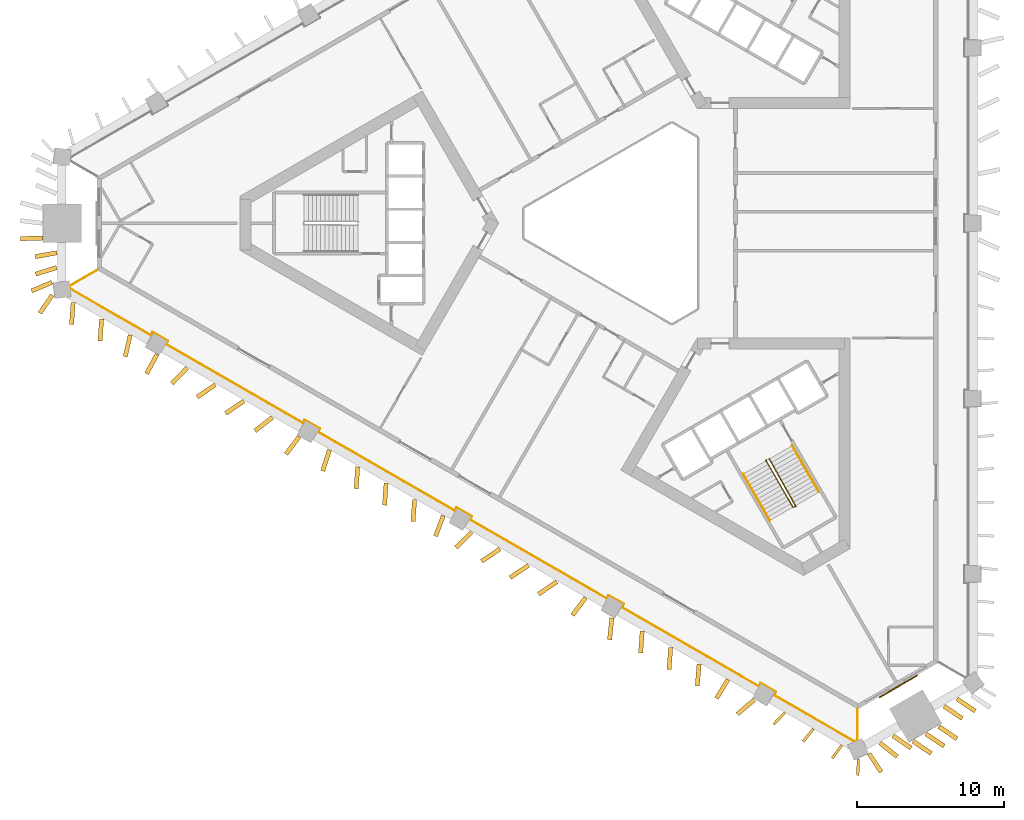
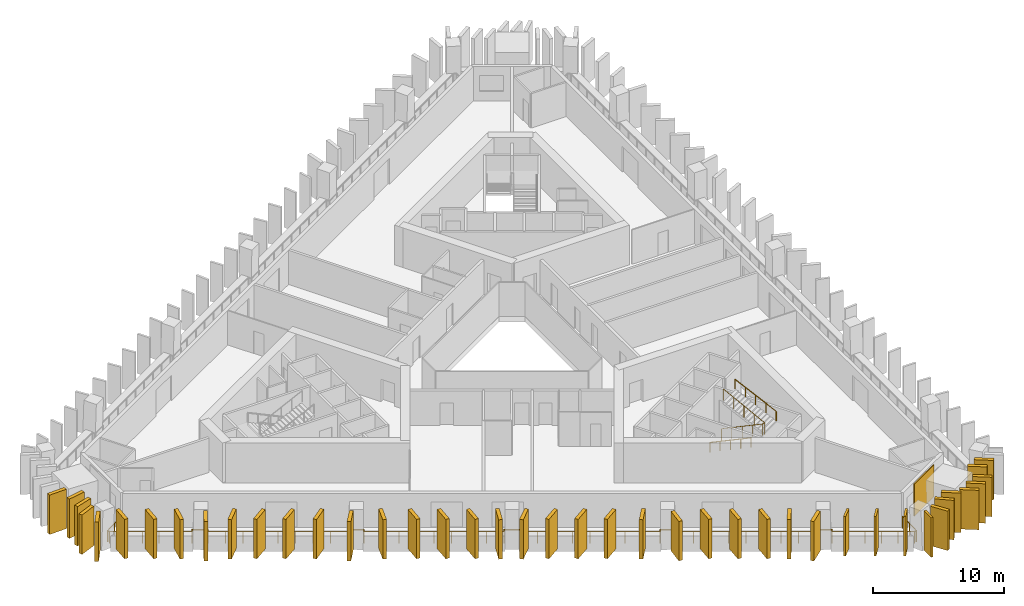
# One storey, part 7 of 10: 42 shading devices, 4 railings, 1 covering.
"""IFC4 building model written with IfcOpenShell, lengths in metres."""

import ifcopenshell
import ifcopenshell.guid

model = None  # the IFC model being written
_history = None  # IfcOwnerHistory: only IFC2X3 demands one
_inside = {}  # id of a spatial element -> (the spatial element, [elements in it])
_under = {}  # id of a project, library or spatial element -> (it, [spatial elements below it])
_declared = {}  # id of a project -> (the project, [libraries it declares])
_typed = {}  # id of a type object -> (the type object, [elements of that type])
_made_of = {}  # id of a material, layer set ... -> (it, [elements and type objects made of it])


def new_model(schema):
    """Start an empty IFC model of exactly this schema.

    Asked for "IFC4X3", IfcOpenShell would pick the latest addendum, in which some entities
    have other attributes; the version numbers below select the first issue.
    IFC2X3 requires an IfcOwnerHistory on every rooted entity: one is made here for all.
    """
    global model, _history
    if schema == "IFC4X3":
        model = ifcopenshell.file(schema_version=(4, 3, 0, 0))
    else:
        model = ifcopenshell.file(schema=schema)
    _inside.clear()
    _under.clear()
    _declared.clear()
    _typed.clear()
    _made_of.clear()
    _history = None
    if model.schema == "IFC2X3":
        org = make("IfcOrganization", Name="unknown")
        user = make(
            "IfcPersonAndOrganization",
            ThePerson=make("IfcPerson", FamilyName="unknown"),
            TheOrganization=org,
        )
        app = make(
            "IfcApplication",
            ApplicationDeveloper=org,
            Version="unknown",
            ApplicationFullName="unknown",
            ApplicationIdentifier="unknown",
        )
        _history = make(
            "IfcOwnerHistory",
            OwningUser=user,
            OwningApplication=app,
            ChangeAction="ADDED",
            CreationDate=0,
        )
    return model


def make(cls, **values):
    """One entity of the class cls with the attributes given. An attribute that is None is left unset."""
    return model.create_entity(
        cls, **{name: value for name, value in values.items() if value is not None}
    )


def rooted(cls, **values):
    """An entity with a GlobalId (a new one), such as an element, a storey or a relation."""
    return make(cls, GlobalId=ifcopenshell.guid.new(), OwnerHistory=_history, **values)


def si_unit(unit_type, name, prefix=None):
    """IfcSIUnit, for example si_unit("LENGTHUNIT", "METRE", prefix="MILLI")."""
    return make("IfcSIUnit", UnitType=unit_type, Prefix=prefix, Name=name)


def assignment(units):
    """IfcUnitAssignment: the units of a project."""
    return None if units is None else make("IfcUnitAssignment", Units=units)


def point(xyz):
    """IfcCartesianPoint."""
    return None if xyz is None else make("IfcCartesianPoint", Coordinates=xyz)


def direction(xyz):
    """IfcDirection."""
    return None if xyz is None else make("IfcDirection", DirectionRatios=xyz)


def frame(location, z_axis=None, x_axis=None):
    """IfcAxis2Placement3D, a coordinate frame: its origin and axes. An axis left out is left unset."""
    return make(
        "IfcAxis2Placement3D",
        Location=point(location),
        Axis=direction(z_axis),
        RefDirection=direction(x_axis),
    )


def frame_2d(location, x_axis=None):
    """IfcAxis2Placement2D, a coordinate frame in the plane: its origin and x axis."""
    return make(
        "IfcAxis2Placement2D", Location=point(location), RefDirection=direction(x_axis)
    )


def origin():
    """The frame at (0, 0, 0) with its axes left unset."""
    return frame((0.0, 0.0, 0.0))


def origin_2d():
    """The frame at (0, 0) in the plane with its x axis left unset."""
    return frame_2d((0.0, 0.0))


def place(relative_to, where):
    """IfcLocalPlacement: puts the frame where relative to a parent placement (None: the world)."""
    return make(
        "IfcLocalPlacement", PlacementRelTo=relative_to, RelativePlacement=where
    )


def context(
    kind, dimensions, precision=None, world=None, true_north=None, identifier=None
):
    """IfcGeometricRepresentationContext, for example the 3D "Model" context."""
    return make(
        "IfcGeometricRepresentationContext",
        ContextIdentifier=identifier,
        ContextType=kind,
        CoordinateSpaceDimension=dimensions,
        Precision=precision,
        WorldCoordinateSystem=world,
        TrueNorth=true_north,
    )


def subcontext(parent, identifier, kind, view, scale=None):
    """IfcGeometricRepresentationSubContext, for example "Body" below "Model"."""
    return make(
        "IfcGeometricRepresentationSubContext",
        ContextIdentifier=identifier,
        ContextType=kind,
        ParentContext=parent,
        TargetScale=scale,
        TargetView=view,
    )


def project(units=None, contexts=None):
    """IfcProject with its units and contexts."""
    return rooted(
        "IfcProject",
        Name="project",
        RepresentationContexts=contexts,
        UnitsInContext=assignment(units),
    )


def spatial(cls, under=None, at=None, **own):
    """A site, building, storey or space (cls), placed at a placement, below another one or the project."""
    s = rooted(cls, ObjectPlacement=at, **own)
    if under is not None:
        _under.setdefault(under.id(), (under, []))[1].append(s)
    return s


def profile(cls, at=None, kind="AREA", **sizes):
    """A parametric profile (cls). Its sizes go by their IFC names, for example OverallWidth=200.0."""
    return make(cls, ProfileType=kind, Position=at, **sizes)


def rectangle(**sizes):
    """IfcRectangleProfileDef."""
    return profile("IfcRectangleProfileDef", **sizes)


def circle(**sizes):
    """IfcCircleProfileDef."""
    return profile("IfcCircleProfileDef", **sizes)


def extrude(swept, where, along, depth):
    """IfcExtrudedAreaSolid: the profile swept, set in the frame where, extruded along a direction by depth."""
    return make(
        "IfcExtrudedAreaSolid",
        SweptArea=swept,
        Position=where,
        ExtrudedDirection=direction(along),
        Depth=depth,
    )


def shape(context_of_items, identifier, shape_type, items):
    """IfcShapeRepresentation: the items that make up one representation, for example the "Body"."""
    return make(
        "IfcShapeRepresentation",
        ContextOfItems=context_of_items,
        RepresentationIdentifier=identifier,
        RepresentationType=shape_type,
        Items=items,
    )


def material(Name=None, Category=None):
    """IfcMaterial."""
    return make("IfcMaterial", Name=Name, Category=Category)


def layer(
    of_material, thickness, ventilated=None, Name=None, Category=None, Priority=None
):
    """IfcMaterialLayer: one layer of a wall or slab, of a material (None: an air gap)."""
    return make(
        "IfcMaterialLayer",
        Material=of_material,
        LayerThickness=thickness,
        IsVentilated=ventilated,
        Name=Name,
        Category=Category,
        Priority=Priority,
    )


def layer_set(layers, Name=None):
    """IfcMaterialLayerSet."""
    return make("IfcMaterialLayerSet", MaterialLayers=layers, LayerSetName=Name)


def made_of(thing, what):
    """Note that an element or type object is made of a material, layer set ...; save() writes the relation."""
    if what is not None:
        _made_of.setdefault(what.id(), (what, []))[1].append(thing)
    return thing


def type_object(cls, material=None, **own):
    """A type object (cls), such as IfcWallType, which elements share."""
    return made_of(rooted(cls, **own), material)


def element(
    cls,
    number,
    at=None,
    inside=None,
    cuts=None,
    type_object=None,
    material=None,
    context=None,
    identifier="Body",
    shape_type=None,
    held_by="IfcProductDefinitionShape",
    body=None,
    shapes=None,
    **own,
):
    """One element of the class cls, such as IfcWall. Its Tag is "e" and its number.

    at: its placement. inside: the storey or other place that contains it. cuts: it is an
    opening in that element (IfcRelVoidsElement). A single representation is given by context,
    identifier, shape_type and body (its items); several are given by shapes. held_by: the class
    of the entity that holds the representations. save() writes the other relations.
    """
    e = rooted(cls, Tag="e%d" % number, ObjectPlacement=at, **own)
    if body is not None:
        shapes = [shape(context, identifier, shape_type, body)]
    if shapes is not None:
        e.Representation = make(held_by, Representations=shapes)
    if inside is not None:
        _inside.setdefault(inside.id(), (inside, []))[1].append(e)
    if cuts is not None:
        rooted(
            "IfcRelVoidsElement", RelatingBuildingElement=cuts, RelatedOpeningElement=e
        )
    if type_object is not None:
        _typed.setdefault(type_object.id(), (type_object, []))[1].append(e)
    return made_of(e, material)


def aggregate(whole, parts):
    """IfcRelAggregates: a whole, such as a stair, and the parts it consists of."""
    return rooted("IfcRelAggregates", RelatingObject=whole, RelatedObjects=parts)


def save(model, path):
    """Write the relations noted so far, then the file.

    IfcRelAggregates (storeys below a building ...), IfcRelContainedInSpatialStructure (elements
    in a storey), IfcRelDefinesByType, IfcRelAssociatesMaterial and IfcRelDeclares: one each for
    every whole, place, type object, material and project.
    """
    for whole, parts in _under.values():
        aggregate(whole, parts)
    for where, things in _inside.values():
        rooted(
            "IfcRelContainedInSpatialStructure",
            RelatedElements=things,
            RelatingStructure=where,
        )
    for kind, things in _typed.values():
        rooted("IfcRelDefinesByType", RelatedObjects=things, RelatingType=kind)
    for what, things in _made_of.values():
        rooted("IfcRelAssociatesMaterial", RelatedObjects=things, RelatingMaterial=what)
    for by, libraries in _declared.values():
        rooted("IfcRelDeclares", RelatingContext=by, RelatedDefinitions=libraries)
    model.write(path)


model = new_model("IFC4")

# Units and contexts
model_context = context("Model", 3, precision=1e-05, world=origin(), true_north=direction((0.0, 1.0)))
body_context = subcontext(model_context, "Body", "Model", "MODEL_VIEW")
ifc_project = project(units=[si_unit("LENGTHUNIT", "METRE"), si_unit("AREAUNIT", "SQUARE_METRE"), si_unit("VOLUMEUNIT", "CUBIC_METRE"), si_unit("PLANEANGLEUNIT", "RADIAN"), si_unit("MASSUNIT", "GRAM", prefix="KILO")], contexts=[model_context])

# Site, building, storey
site_placement = place(None, origin())
site = spatial("IfcSite", under=ifc_project, at=site_placement, CompositionType="ELEMENT")
building_placement = place(site_placement, origin())
building = spatial("IfcBuilding", under=site, at=building_placement, Name="Jabali Bay Hotel Tower and Convention Centre", CompositionType="ELEMENT")
storey_placement = place(building_placement, frame((0.0, 0.0, 68.39990234375)))
storey = spatial("IfcBuildingStorey", under=building, at=storey_placement, Name="L15", CompositionType="ELEMENT", Elevation=68.39990234375)

# Railing
ifc_material_1 = material(Name="Glass", Category="glass")
railing_type_1 = type_object("IfcRailingType", Name="Loggia glass guard 1100", PredefinedType="BALUSTRADE", material=ifc_material_1)
railing_1_placement = place(storey_placement, frame((90.393310546875, 46.950927734375, 0.0)))
element("IfcRailing", 1, at=railing_1_placement, inside=storey, type_object=railing_type_1, Name="Loggia glass guard L15", PredefinedType="BALUSTRADE", context=body_context, shape_type="SweptSolid", body=[
    extrude(circle(Radius=0.02490234375, at=origin_2d()), frame((0.0, 0.0, 1.0751953125), z_axis=(0.0, -1.0, 0.0), x_axis=(0.991444861374, 0.0, 0.13052619222)), (0.0, 0.0, 1.0), 2.110595703125),
    extrude(circle(Radius=0.02490234375, at=origin_2d()), frame((0.0, -2.110595703125, 1.0751953125), z_axis=(-0.917845837018, -0.396937047236, 0.0), x_axis=(0.393541195771, -0.909993538645, 0.13052619222)), (0.0, 0.0, 1.0), 0.214599609375),
    extrude(circle(Radius=0.02490234375, at=origin_2d()), frame((-0.197021484375, -2.19580078125, 1.0751953125), z_axis=(-0.866026738007, 0.499997689051, 0.0), x_axis=(-0.495720139509, -0.858617759209, 0.13052619222)), (0.0, 0.0, 1.0), 6.32177734375),
    extrude(circle(Radius=0.02490234375, at=origin_2d()), frame((-5.671875, 0.965087890625, 1.0751953125), z_axis=(0.499919672301, 0.866071776036, 0.0), x_axis=(-0.858662411932, 0.495642790202, 0.13052619222)), (0.0, 0.0, 1.0), 0.25),
    extrude(circle(Radius=0.02490234375, at=origin_2d()), frame((-5.546875, 1.181640625, 1.0751953125), z_axis=(-0.865955154139, 0.50012165622, 0.0), x_axis=(-0.495843046121, -0.858546787751, 0.13052619222)), (0.0, 0.0, 1.0), 1.199951171875),
    extrude(circle(Radius=0.02490234375, at=origin_2d()), frame((-6.5859375, 1.78173828125, 1.0751953125), z_axis=(-0.499919672301, -0.866071776036, 0.0), x_axis=(0.858662411932, -0.495642790202, 0.13052619222)), (0.0, 0.0, 1.0), 0.25),
    extrude(circle(Radius=0.02490234375, at=origin_2d()), frame((-6.7109375, 1.565185546875, 1.0751953125), z_axis=(-0.866027971625, 0.499995552344, 0.0), x_axis=(-0.495718021081, -0.858618982273, 0.13052619222)), (0.0, 0.0, 1.0), 10.73046875),
    extrude(circle(Radius=0.02490234375, at=origin_2d()), frame((-16.00390625, 6.930419921875, 1.0751953125), z_axis=(0.499919672301, 0.866071776036, 0.0), x_axis=(-0.858662411932, 0.495642790202, 0.13052619222)), (0.0, 0.0, 1.0), 0.25),
    extrude(circle(Radius=0.02490234375, at=origin_2d()), frame((-15.87890625, 7.14697265625, 1.0751953125), z_axis=(-0.866094119867, 0.499880961361, 0.0), x_axis=(-0.49560441044, -0.858684564609, 0.13052619222)), (0.0, 0.0, 1.0), 1.199951171875),
    extrude(circle(Radius=0.02490234375, at=origin_2d()), frame((-16.918212890625, 7.746826171875, 1.0751953125), z_axis=(-0.499919672301, -0.866071776036, 0.0), x_axis=(0.858662411932, -0.495642790202, 0.13052619222)), (0.0, 0.0, 1.0), 0.25),
    extrude(circle(Radius=0.02490234375, at=origin_2d()), frame((-17.043212890625, 7.5302734375, 1.0751953125), z_axis=(-0.866018119769, 0.500012616072, 0.0), x_axis=(-0.495734938827, -0.858609214702, 0.13052619222)), (0.0, 0.0, 1.0), 10.730712890625),
    extrude(circle(Radius=0.02490234375, at=origin_2d()), frame((-26.336181640625, 12.895751953125, 1.0751953125), z_axis=(0.500342721131, 0.865827443207, 0.0), x_axis=(-0.858420169404, 0.496062219791, 0.13052619222)), (0.0, 0.0, 1.0), 0.249755859375),
    extrude(circle(Radius=0.02490234375, at=origin_2d()), frame((-26.211181640625, 13.112060546875, 1.0751953125), z_axis=(-0.865955154139, 0.50012165622, 0.0), x_axis=(-0.495843046121, -0.858546787751, 0.13052619222)), (0.0, 0.0, 1.0), 1.199951171875),
    extrude(circle(Radius=0.02490234375, at=origin_2d()), frame((-27.250244140625, 13.712158203125, 1.0751953125), z_axis=(-0.499919672301, -0.866071776036, 0.0), x_axis=(0.858662411932, -0.495642790202, 0.13052619222)), (0.0, 0.0, 1.0), 0.25),
    extrude(circle(Radius=0.02490234375, at=origin_2d()), frame((-27.375244140625, 13.49560546875, 1.0751953125), z_axis=(-0.866027971625, 0.499995552344, 0.0), x_axis=(-0.495718021081, -0.858618982273, 0.13052619222)), (0.0, 0.0, 1.0), 10.73046875),
    extrude(circle(Radius=0.02490234375, at=origin_2d()), frame((-36.668212890625, 18.86083984375, 1.0751953125), z_axis=(0.499919672301, 0.866071776036, 0.0), x_axis=(-0.858662411932, 0.495642790202, 0.13052619222)), (0.0, 0.0, 1.0), 0.25),
    extrude(circle(Radius=0.02490234375, at=origin_2d()), frame((-36.543212890625, 19.077392578125, 1.0751953125), z_axis=(-0.866006032174, 0.500033551112, 0.0), x_axis=(-0.495755694765, -0.858597230518, 0.13052619222)), (0.0, 0.0, 1.0), 1.2001953125),
    extrude(circle(Radius=0.02490234375, at=origin_2d()), frame((-37.58251953125, 19.677490234375, 1.0751953125), z_axis=(-0.499919672301, -0.866071776036, 0.0), x_axis=(0.858662411932, -0.495642790202, 0.13052619222)), (0.0, 0.0, 1.0), 0.25),
    extrude(circle(Radius=0.02490234375, at=origin_2d()), frame((-37.70751953125, 19.4609375, 1.0751953125), z_axis=(-0.866022283585, 0.500005404305, 0.0), x_axis=(-0.495727788757, -0.858613342896, 0.13052619222)), (0.0, 0.0, 1.0), 10.73046875),
    extrude(circle(Radius=0.02490234375, at=origin_2d()), frame((-47.000244140625, 24.826171875, 1.0751953125), z_axis=(0.499919672301, 0.866071776036, 0.0), x_axis=(-0.858662411932, 0.495642790202, 0.13052619222)), (0.0, 0.0, 1.0), 0.25),
    extrude(circle(Radius=0.02490234375, at=origin_2d()), frame((-46.875244140625, 25.042724609375, 1.0751953125), z_axis=(-0.866006032174, 0.500033551112, 0.0), x_axis=(-0.495755694765, -0.858597230518, 0.13052619222)), (0.0, 0.0, 1.0), 1.2001953125),
    extrude(circle(Radius=0.02490234375, at=origin_2d()), frame((-47.91455078125, 25.642822265625, 1.0751953125), z_axis=(-0.499919672301, -0.866071776036, 0.0), x_axis=(0.858662411932, -0.495642790202, 0.13052619222)), (0.0, 0.0, 1.0), 0.25),
    extrude(circle(Radius=0.02490234375, at=origin_2d()), frame((-48.03955078125, 25.42626953125, 1.0751953125), z_axis=(-0.866043460228, 0.499968724018, 0.0), x_axis=(-0.495691422276, -0.858634338369, 0.13052619222)), (0.0, 0.0, 1.0), 6.32177734375),
    extrude(circle(Radius=0.02490234375, at=origin_2d()), frame((-53.514404296875, 28.5869140625, 1.0751953125), z_axis=(-0.115918072513, 0.993258778197, 0.0), x_axis=(-0.984761311658, -0.114926377333, 0.13052619222)), (0.0, 0.0, 1.0), 0.21484375),
    extrude(circle(Radius=0.02490234375, at=origin_2d()), frame((-53.539306640625, 28.80029296875, 1.0751953125), z_axis=(0.86605653045, 0.499946083158, 0.0), x_axis=(-0.495668975111, 0.858647296774, 0.13052619222)), (0.0, 0.0, 1.0), 2.110595703125),
    extrude(circle(Radius=0.02001953125, at=origin_2d()), origin(), (0.0, 0.0, 1.0), 1.050048828125),
    extrude(circle(Radius=0.02001953125, at=origin_2d()), frame((0.0, -1.05517578125, 0.0)), (0.0, 0.0, 1.0), 1.050048828125),
    extrude(circle(Radius=0.02001953125, at=origin_2d()), frame((0.0, -2.110595703125, 0.0)), (0.0, 0.0, 1.0), 1.050048828125),
    extrude(circle(Radius=0.02001953125, at=origin_2d()), frame((-0.197021484375, -2.19580078125, 0.0)), (0.0, 0.0, 1.0), 1.050048828125),
    extrude(circle(Radius=0.02001953125, at=origin_2d()), frame((-1.2919921875, -1.563720703125, 0.0)), (0.0, 0.0, 1.0), 1.050048828125),
    extrude(circle(Radius=0.02001953125, at=origin_2d()), frame((-2.386962890625, -0.931396484375, 0.0)), (0.0, 0.0, 1.0), 1.050048828125),
    extrude(circle(Radius=0.02001953125, at=origin_2d()), frame((-3.48193359375, -0.29931640625, 0.0)), (0.0, 0.0, 1.0), 1.050048828125),
    extrude(circle(Radius=0.02001953125, at=origin_2d()), frame((-4.576904296875, 0.3330078125, 0.0)), (0.0, 0.0, 1.0), 1.050048828125),
    extrude(circle(Radius=0.02001953125, at=origin_2d()), frame((-5.671875, 0.965087890625, 0.0)), (0.0, 0.0, 1.0), 1.050048828125),
    extrude(circle(Radius=0.02001953125, at=origin_2d()), frame((-5.546875, 1.181640625, 0.0)), (0.0, 0.0, 1.0), 1.050048828125),
    extrude(circle(Radius=0.02001953125, at=origin_2d()), frame((-6.5859375, 1.78173828125, 0.0)), (0.0, 0.0, 1.0), 1.050048828125),
    extrude(circle(Radius=0.02001953125, at=origin_2d()), frame((-6.7109375, 1.565185546875, 0.0)), (0.0, 0.0, 1.0), 1.050048828125),
    extrude(circle(Radius=0.02001953125, at=origin_2d()), frame((-7.87255859375, 2.23583984375, 0.0)), (0.0, 0.0, 1.0), 1.050048828125),
    extrude(circle(Radius=0.02001953125, at=origin_2d()), frame((-9.0341796875, 2.906494140625, 0.0)), (0.0, 0.0, 1.0), 1.050048828125),
    extrude(circle(Radius=0.02001953125, at=origin_2d()), frame((-10.19580078125, 3.5771484375, 0.0)), (0.0, 0.0, 1.0), 1.050048828125),
    extrude(circle(Radius=0.02001953125, at=origin_2d()), frame((-11.357421875, 4.247802734375, 0.0)), (0.0, 0.0, 1.0), 1.050048828125),
    extrude(circle(Radius=0.02001953125, at=origin_2d()), frame((-12.51904296875, 4.91845703125, 0.0)), (0.0, 0.0, 1.0), 1.050048828125),
    extrude(circle(Radius=0.02001953125, at=origin_2d()), frame((-13.6806640625, 5.589111328125, 0.0)), (0.0, 0.0, 1.0), 1.050048828125),
    extrude(circle(Radius=0.02001953125, at=origin_2d()), frame((-14.84228515625, 6.259765625, 0.0)), (0.0, 0.0, 1.0), 1.050048828125),
    extrude(circle(Radius=0.02001953125, at=origin_2d()), frame((-16.00390625, 6.930419921875, 0.0)), (0.0, 0.0, 1.0), 1.050048828125),
    extrude(circle(Radius=0.02001953125, at=origin_2d()), frame((-15.87890625, 7.14697265625, 0.0)), (0.0, 0.0, 1.0), 1.050048828125),
    extrude(circle(Radius=0.02001953125, at=origin_2d()), frame((-16.918212890625, 7.746826171875, 0.0)), (0.0, 0.0, 1.0), 1.050048828125),
    extrude(circle(Radius=0.02001953125, at=origin_2d()), frame((-17.043212890625, 7.5302734375, 0.0)), (0.0, 0.0, 1.0), 1.050048828125),
    extrude(circle(Radius=0.02001953125, at=origin_2d()), frame((-18.204833984375, 8.200927734375, 0.0)), (0.0, 0.0, 1.0), 1.050048828125),
    extrude(circle(Radius=0.02001953125, at=origin_2d()), frame((-19.366455078125, 8.87158203125, 0.0)), (0.0, 0.0, 1.0), 1.050048828125),
    extrude(circle(Radius=0.02001953125, at=origin_2d()), frame((-20.528076171875, 9.542236328125, 0.0)), (0.0, 0.0, 1.0), 1.050048828125),
    extrude(circle(Radius=0.02001953125, at=origin_2d()), frame((-21.689697265625, 10.212890625, 0.0)), (0.0, 0.0, 1.0), 1.050048828125),
    extrude(circle(Radius=0.02001953125, at=origin_2d()), frame((-22.851318359375, 10.8837890625, 0.0)), (0.0, 0.0, 1.0), 1.050048828125),
    extrude(circle(Radius=0.02001953125, at=origin_2d()), frame((-24.012939453125, 11.554443359375, 0.0)), (0.0, 0.0, 1.0), 1.050048828125),
    extrude(circle(Radius=0.02001953125, at=origin_2d()), frame((-25.174560546875, 12.22509765625, 0.0)), (0.0, 0.0, 1.0), 1.050048828125),
    extrude(circle(Radius=0.02001953125, at=origin_2d()), frame((-26.336181640625, 12.895751953125, 0.0)), (0.0, 0.0, 1.0), 1.050048828125),
    extrude(circle(Radius=0.02001953125, at=origin_2d()), frame((-26.211181640625, 13.112060546875, 0.0)), (0.0, 0.0, 1.0), 1.050048828125),
    extrude(circle(Radius=0.02001953125, at=origin_2d()), frame((-27.250244140625, 13.712158203125, 0.0)), (0.0, 0.0, 1.0), 1.050048828125),
    extrude(circle(Radius=0.02001953125, at=origin_2d()), frame((-27.375244140625, 13.49560546875, 0.0)), (0.0, 0.0, 1.0), 1.050048828125),
    extrude(circle(Radius=0.02001953125, at=origin_2d()), frame((-28.536865234375, 14.166259765625, 0.0)), (0.0, 0.0, 1.0), 1.050048828125),
    extrude(circle(Radius=0.02001953125, at=origin_2d()), frame((-29.698486328125, 14.8369140625, 0.0)), (0.0, 0.0, 1.0), 1.050048828125),
    extrude(circle(Radius=0.02001953125, at=origin_2d()), frame((-30.860107421875, 15.507568359375, 0.0)), (0.0, 0.0, 1.0), 1.050048828125),
    extrude(circle(Radius=0.02001953125, at=origin_2d()), frame((-32.021728515625, 16.17822265625, 0.0)), (0.0, 0.0, 1.0), 1.050048828125),
    extrude(circle(Radius=0.02001953125, at=origin_2d()), frame((-33.183349609375, 16.848876953125, 0.0)), (0.0, 0.0, 1.0), 1.050048828125),
    extrude(circle(Radius=0.02001953125, at=origin_2d()), frame((-34.344970703125, 17.51953125, 0.0)), (0.0, 0.0, 1.0), 1.050048828125),
    extrude(circle(Radius=0.02001953125, at=origin_2d()), frame((-35.506591796875, 18.190185546875, 0.0)), (0.0, 0.0, 1.0), 1.050048828125),
    extrude(circle(Radius=0.02001953125, at=origin_2d()), frame((-36.668212890625, 18.86083984375, 0.0)), (0.0, 0.0, 1.0), 1.050048828125),
    extrude(circle(Radius=0.02001953125, at=origin_2d()), frame((-36.543212890625, 19.077392578125, 0.0)), (0.0, 0.0, 1.0), 1.050048828125),
    extrude(circle(Radius=0.02001953125, at=origin_2d()), frame((-37.58251953125, 19.677490234375, 0.0)), (0.0, 0.0, 1.0), 1.050048828125),
    extrude(circle(Radius=0.02001953125, at=origin_2d()), frame((-37.70751953125, 19.4609375, 0.0)), (0.0, 0.0, 1.0), 1.050048828125),
    extrude(circle(Radius=0.02001953125, at=origin_2d()), frame((-38.869140625, 20.131591796875, 0.0)), (0.0, 0.0, 1.0), 1.050048828125),
    extrude(circle(Radius=0.02001953125, at=origin_2d()), frame((-40.03076171875, 20.80224609375, 0.0)), (0.0, 0.0, 1.0), 1.050048828125),
    extrude(circle(Radius=0.02001953125, at=origin_2d()), frame((-41.1923828125, 21.472900390625, 0.0)), (0.0, 0.0, 1.0), 1.050048828125),
    extrude(circle(Radius=0.02001953125, at=origin_2d()), frame((-42.35400390625, 22.1435546875, 0.0)), (0.0, 0.0, 1.0), 1.050048828125),
    extrude(circle(Radius=0.02001953125, at=origin_2d()), frame((-43.515380859375, 22.814208984375, 0.0)), (0.0, 0.0, 1.0), 1.050048828125),
    extrude(circle(Radius=0.02001953125, at=origin_2d()), frame((-44.677001953125, 23.48486328125, 0.0)), (0.0, 0.0, 1.0), 1.050048828125),
    extrude(circle(Radius=0.02001953125, at=origin_2d()), frame((-45.838623046875, 24.155517578125, 0.0)), (0.0, 0.0, 1.0), 1.050048828125),
    extrude(circle(Radius=0.02001953125, at=origin_2d()), frame((-47.000244140625, 24.826171875, 0.0)), (0.0, 0.0, 1.0), 1.050048828125),
    extrude(circle(Radius=0.02001953125, at=origin_2d()), frame((-46.875244140625, 25.042724609375, 0.0)), (0.0, 0.0, 1.0), 1.050048828125),
    extrude(circle(Radius=0.02001953125, at=origin_2d()), frame((-47.91455078125, 25.642822265625, 0.0)), (0.0, 0.0, 1.0), 1.050048828125),
    extrude(circle(Radius=0.02001953125, at=origin_2d()), frame((-48.03955078125, 25.42626953125, 0.0)), (0.0, 0.0, 1.0), 1.050048828125),
    extrude(circle(Radius=0.02001953125, at=origin_2d()), frame((-49.134521484375, 26.058349609375, 0.0)), (0.0, 0.0, 1.0), 1.050048828125),
    extrude(circle(Radius=0.02001953125, at=origin_2d()), frame((-50.2294921875, 26.6904296875, 0.0)), (0.0, 0.0, 1.0), 1.050048828125),
    extrude(circle(Radius=0.02001953125, at=origin_2d()), frame((-51.324462890625, 27.32275390625, 0.0)), (0.0, 0.0, 1.0), 1.050048828125),
    extrude(circle(Radius=0.02001953125, at=origin_2d()), frame((-52.41943359375, 27.954833984375, 0.0)), (0.0, 0.0, 1.0), 1.050048828125),
    extrude(circle(Radius=0.02001953125, at=origin_2d()), frame((-53.514404296875, 28.5869140625, 0.0)), (0.0, 0.0, 1.0), 1.050048828125),
    extrude(circle(Radius=0.02001953125, at=origin_2d()), frame((-53.539306640625, 28.80029296875, 0.0)), (0.0, 0.0, 1.0), 1.050048828125),
    extrude(circle(Radius=0.02001953125, at=origin_2d()), frame((-52.62548828125, 29.327880859375, 0.0)), (0.0, 0.0, 1.0), 1.050048828125),
    extrude(circle(Radius=0.02001953125, at=origin_2d()), frame((-51.71142578125, 29.85546875, 0.0)), (0.0, 0.0, 1.0), 1.050048828125),
])

# Shading devices
ifc_material_2 = material(Name="Precast concrete C60", Category="concrete")
ifc_layer_1 = layer(ifc_material_2, 0.179931640625)
ifc_layer_set_1 = layer_set([ifc_layer_1], Name="Precast concrete C60")
shading_device_type_1 = type_object("IfcShadingDeviceType", Name="Precast fin 3680 x 1100", PredefinedType="USERDEFINED", material=ifc_layer_set_1)
shading_device_1_placement = place(storey_placement, frame((85.450927734375, 46.72900390625, 0.010009765625), z_axis=(0.0, 0.0, 1.0), x_axis=(-0.688562819559, -0.725176698137, 0.0)))
element("IfcShadingDevice", 2, at=shading_device_1_placement, inside=storey, type_object=shading_device_type_1, Name="Fin L15 099", ObjectType="FIN", PredefinedType="USERDEFINED", context=body_context, shape_type="SweptSolid", body=[
    extrude(rectangle(XDim=1.10009765625, YDim=0.179931640625, at=frame_2d((0.550048828125, 0.0))), origin(), (0.0, 0.0, 1.0), 3.68017578125),
])
shading_device_2_placement = place(storey_placement, frame((87.388916015625, 45.618408203125, 0.010009765625), z_axis=(0.0, 0.0, 1.0), x_axis=(-0.626371840891, -0.779524417154, 0.0)))
element("IfcShadingDevice", 3, at=shading_device_2_placement, inside=storey, type_object=shading_device_type_1, Name="Fin L15 100", ObjectType="FIN", PredefinedType="USERDEFINED", context=body_context, shape_type="SweptSolid", body=[
    extrude(rectangle(XDim=1.099853515625, YDim=0.179931640625, at=frame_2d((0.5498046875, 0.0))), origin(), (0.0, 0.0, 1.0), 3.68017578125),
])
shading_device_3_placement = place(storey_placement, frame((89.3251953125, 44.5048828125, 0.010009765625), z_axis=(0.0, 0.0, 1.0), x_axis=(-0.592123497411, -0.805847233546, 0.0)))
element("IfcShadingDevice", 4, at=shading_device_3_placement, inside=storey, type_object=shading_device_type_1, Name="Fin L15 101", ObjectType="FIN", PredefinedType="USERDEFINED", context=body_context, shape_type="SweptSolid", body=[
    extrude(rectangle(XDim=1.10009765625, YDim=0.179931640625, at=frame_2d((0.550048828125, 0.0))), origin(), (0.0, 0.0, 1.0), 3.68017578125),
])
shading_device_4_placement = place(storey_placement, frame((90.443359375, 43.56884765625, 0.010009765625), z_axis=(0.0, 0.0, 1.0), x_axis=(-0.02264073133, -0.999743665789, 0.0)))
element("IfcShadingDevice", 5, at=shading_device_4_placement, inside=storey, type_object=shading_device_type_1, Name="Fin L15 116", ObjectType="FIN", PredefinedType="USERDEFINED", context=body_context, shape_type="SweptSolid", body=[
    extrude(rectangle(XDim=1.099853515625, YDim=0.179931640625, at=frame_2d((0.5498046875, 0.0))), origin(), (0.0, 0.0, 1.0), 3.68017578125),
])
ifc_layer_2 = layer(ifc_material_2, 0.300048828125)
ifc_layer_set_2 = layer_set([ifc_layer_2], Name="Precast concrete C60")
shading_device_type_2 = type_object("IfcShadingDeviceType", Name="Precast fin 3680 x 1500", PredefinedType="USERDEFINED", material=ifc_layer_set_2)
for number, where, z_axis, x_axis, name in (
    (6, (34.977783203125, 78.9951171875, 0.010009765625), (0.0, 0.0, 1.0), (-0.99945408109, -0.033038459284, 0.0), "Fin L15 070"),
    (7, (35.96875, 77.990478515625, 0.010009765625), (0.0, 0.0, 1.0), (-0.984460751245, -0.17560475295, 0.0), "Fin L15 071"),
    (8, (35.950439453125, 76.985595703125, 0.010009765625), (0.0, 0.0, 1.0), (-0.954809567539, -0.297218252698, 0.0), "Fin L15 072"),
):
    element("IfcShadingDevice", number, at=place(storey_placement, frame(where, z_axis=z_axis, x_axis=x_axis)), inside=storey, type_object=shading_device_type_2, Name=name, ObjectType="FIN", PredefinedType="USERDEFINED", context=body_context, shape_type="SweptSolid", body=[
        extrude(rectangle(XDim=1.5, YDim=0.300048828125, at=frame_2d((0.75, 0.0))), origin(), (0.0, 0.0, 1.0), 3.68017578125),
    ])
shading_device_5_placement = place(storey_placement, frame((35.62744140625, 75.98095703125, 0.010009765625), z_axis=(0.0, 0.0, 1.0), x_axis=(-0.920494876465, -0.390754631965, 0.0)))
element("IfcShadingDevice", 9, at=shading_device_5_placement, inside=storey, type_object=shading_device_type_2, Name="Fin L15 073", ObjectType="FIN", PredefinedType="USERDEFINED", context=body_context, shape_type="SweptSolid", body=[
    extrude(rectangle(XDim=1.500244140625, YDim=0.300048828125, at=frame_2d((0.75, 0.0))), origin(), (0.0, 0.0, 1.0), 3.68017578125),
])
for number, where, z_axis, x_axis, name in (
    (10, (37.070068359375, 74.610107421875, 0.010009765625), (0.0, 0.0, 1.0), (-0.071293319595, -0.99745539378, 0.0), "Fin L15 074"),
    (11, (39.00439453125, 73.493408203125, 0.010009765625), (0.0, 0.0, 1.0), (-0.070795970877, -0.997490817255, 0.0), "Fin L15 075"),
    (12, (40.94970703125, 72.3955078125, 0.010009765625), (0.0, 0.0, 1.0), (-0.225917344427, -0.974146474349, 0.0), "Fin L15 076"),
    (13, (42.775146484375, 71.090087890625, 0.010009765625), (0.0, 0.0, 1.0), (-0.475758723949, -0.87957582765, 0.0), "Fin L15 077"),
    (14, (44.82177734375, 70.167724609375, 0.010009765625), (0.0, 0.0, 1.0), (-0.697933232933, -0.7161628323, 0.0), "Fin L15 078"),
    (15, (46.741943359375, 69.026611328125, 0.010009765625), (0.0, 0.0, 1.0), (-0.825889718702, -0.563831688132, 0.0), "Fin L15 079"),
    (16, (48.676025390625, 67.909423828125, 0.010009765625), (0.0, 0.0, 1.0), (-0.828578765843, -0.559872511196, 0.0), "Fin L15 080"),
    (17, (50.614990234375, 66.800537109375, 0.010009765625), (0.0, 0.0, 1.0), (-0.789010320792, -0.614379942449, 0.0), "Fin L15 081"),
    (18, (52.43994140625, 65.494140625, 0.010009765625), (0.0, 0.0, 1.0), (-0.600260384864, -0.799804645125, 0.0), "Fin L15 082"),
    (19, (54.49609375, 64.58837890625, 0.010009765625), (0.0, 0.0, 1.0), (-0.305808980607, -0.952092888, 0.0), "Fin L15 083"),
    (20, (56.413330078125, 63.442138671875, 0.010009765625), (0.0, 0.0, 1.0), (-0.070472092405, -0.99751375138, 0.0), "Fin L15 084"),
    (21, (58.34765625, 62.325439453125, 0.010009765625), (0.0, 0.0, 1.0), (-0.070472092405, -0.99751375138, 0.0), "Fin L15 085"),
):
    element("IfcShadingDevice", number, at=place(storey_placement, frame(where, z_axis=z_axis, x_axis=x_axis)), inside=storey, type_object=shading_device_type_2, Name=name, ObjectType="FIN", PredefinedType="USERDEFINED", context=body_context, shape_type="SweptSolid", body=[
        extrude(rectangle(XDim=1.5, YDim=0.300048828125, at=frame_2d((0.75, 0.0))), origin(), (0.0, 0.0, 1.0), 3.68017578125),
    ])
for number, where, z_axis, x_axis, name in (
    (22, (60.281982421875, 61.20849609375, 0.010009765625), (0.0, 0.0, 1.0), (-0.070483535293, -0.9975129429, 0.0), "Fin L15 086"),
    (23, (62.237060546875, 60.12744140625, 0.010009765625), (0.0, 0.0, 1.0), (-0.352567919179, -0.935786226852, 0.0), "Fin L15 087"),
    (24, (64.16357421875, 58.997314453125, 0.010009765625), (0.0, 0.0, 1.0), (-0.711973137124, -0.702206701772, 0.0), "Fin L15 088"),
):
    element("IfcShadingDevice", number, at=place(storey_placement, frame(where, z_axis=z_axis, x_axis=x_axis)), inside=storey, type_object=shading_device_type_2, Name=name, ObjectType="FIN", PredefinedType="USERDEFINED", context=body_context, shape_type="SweptSolid", body=[
        extrude(rectangle(XDim=1.499755859375, YDim=0.300048828125, at=frame_2d((0.75, 0.0))), origin(), (0.0, 0.0, 1.0), 3.68017578125),
    ])
for number, where, z_axis, x_axis, name in (
    (25, (66.085205078125, 57.858154296875, 0.010009765625), (0.0, 0.0, 1.0), (-0.828654266351, -0.55976075859, 0.0), "Fin L15 089"),
    (26, (68.01953125, 56.741455078125, 0.010009765625), (0.0, 0.0, 1.0), (-0.828578765843, -0.559872511196, 0.0), "Fin L15 090"),
    (27, (69.953857421875, 55.62451171875, 0.010009765625), (0.0, 0.0, 1.0), (-0.828654266351, -0.55976075859, 0.0), "Fin L15 091"),
    (28, (71.912109375, 54.549560546875, 0.010009765625), (0.0, 0.0, 1.0), (-0.597653685154, -0.801754371751, 0.0), "Fin L15 092"),
    (29, (73.696044921875, 53.172119140625, 0.010009765625), (0.0, 0.0, 1.0), (-0.104981318366, -0.994474194132, 0.0), "Fin L15 093"),
):
    element("IfcShadingDevice", number, at=place(storey_placement, frame(where, z_axis=z_axis, x_axis=x_axis)), inside=storey, type_object=shading_device_type_2, Name=name, ObjectType="FIN", PredefinedType="USERDEFINED", context=body_context, shape_type="SweptSolid", body=[
        extrude(rectangle(XDim=1.5, YDim=0.300048828125, at=frame_2d((0.75, 0.0))), origin(), (0.0, 0.0, 1.0), 3.68017578125),
    ])
shading_device_6_placement = place(storey_placement, frame((75.7568359375, 52.2744140625, 0.010009765625), z_axis=(0.0, 0.0, 1.0), x_axis=(-0.071443660553, -0.997444636743, 0.0)))
element("IfcShadingDevice", 30, at=shading_device_6_placement, inside=storey, type_object=shading_device_type_2, Name="Fin L15 094", ObjectType="FIN", PredefinedType="USERDEFINED", context=body_context, shape_type="SweptSolid", body=[
    extrude(rectangle(XDim=1.500244140625, YDim=0.300048828125, at=frame_2d((0.75, 0.0))), origin(), (0.0, 0.0, 1.0), 3.68017578125),
])
for number, where, z_axis, x_axis, name in (
    (31, (77.69140625, 51.15771484375, 0.010009765625), (0.0, 0.0, 1.0), (-0.073733787445, -0.997277959542, 0.0), "Fin L15 095"),
    (32, (79.626220703125, 50.0419921875, 0.010009765625), (0.0, 0.0, 1.0), (-0.082035152054, -0.996629436565, 0.0), "Fin L15 096"),
    (33, (81.590576171875, 48.97705078125, 0.010009765625), (0.0, 0.0, 1.0), (-0.523634184437, -0.851943214592, 0.0), "Fin L15 097"),
    (34, (83.373046875, 47.59716796875, 0.010009765625), (0.0, 0.0, 1.0), (-0.762224376419, -0.647312907328, 0.0), "Fin L15 098"),
    (35, (91.1826171875, 43.9326171875, 0.010009765625), (0.0, 0.0, 1.0), (0.552858523247, -0.833275136598, 0.0), "Fin L15 102"),
    (36, (91.919677734375, 44.665771484375, 0.010009765625), (0.0, 0.0, 1.0), (0.783718967576, -0.621115592995, 0.0), "Fin L15 103"),
    (37, (92.794921875, 45.1591796875, 0.010009765625), (0.0, 0.0, 1.0), (0.828578765843, -0.559872511196, 0.0), "Fin L15 104"),
    (38, (94.17138671875, 44.78466796875, 0.010009765625), (0.0, 0.0, 1.0), (0.828654266351, -0.55976075859, 0.0), "Fin L15 105"),
    (39, (95.04150390625, 45.287109375, 0.010009765625), (0.0, 0.0, 1.0), (0.828578765843, -0.559872511196, 0.0), "Fin L15 106"),
    (40, (95.91162109375, 45.78955078125, 0.010009765625), (0.0, 0.0, 1.0), (0.828578765843, -0.559872511196, 0.0), "Fin L15 107"),
    (41, (96.275634765625, 47.168701171875, 0.010009765625), (0.0, 0.0, 1.0), (0.828578765843, -0.559872511196, 0.0), "Fin L15 108"),
    (42, (97.145751953125, 47.671142578125, 0.010009765625), (0.0, 0.0, 1.0), (0.828578765843, -0.559872511196, 0.0), "Fin L15 109"),
    (43, (35.657470703125, 75.1181640625, 0.010009765625), (0.0, 0.0, 1.0), (-0.571932074179, -0.820300982887, 0.0), "Fin L15 115"),
):
    element("IfcShadingDevice", number, at=place(storey_placement, frame(where, z_axis=z_axis, x_axis=x_axis)), inside=storey, type_object=shading_device_type_2, Name=name, ObjectType="FIN", PredefinedType="USERDEFINED", context=body_context, shape_type="SweptSolid", body=[
        extrude(rectangle(XDim=1.5, YDim=0.300048828125, at=frame_2d((0.75, 0.0))), origin(), (0.0, 0.0, 1.0), 3.68017578125),
    ])

# Covering
ifc_material_3 = material(Name="Precast concrete C40/50", Category="concrete")
ifc_layer_3 = layer(ifc_material_3, 0.080078125)
ifc_layer_set_3 = layer_set([ifc_layer_3], Name="Precast concrete C40/50")
covering_type = type_object("IfcCoveringType", Name="Relief panel 3000 x 3000", PredefinedType="CLADDING", material=ifc_layer_set_3)
covering_placement = place(storey_placement, frame((93.178955078125, 48.512939453125, 0.10009765625), z_axis=(0.0, 0.0, 1.0), x_axis=(-0.866025422521, -0.499999967548, 0.0)))
element("IfcCovering", 44, at=covering_placement, inside=storey, type_object=covering_type, Name="Relief panel L15", PredefinedType="CLADDING", context=body_context, shape_type="SweptSolid", body=[
    extrude(rectangle(XDim=3.0, YDim=0.080078125, at=origin_2d()), origin(), (0.0, 0.0, 1.0), 3.0),
])

# Railings
ifc_material_4 = material(Name="Steel Q355B", Category="steel")
railing_type_2 = type_object("IfcRailingType", Name="Stair guard 1100", PredefinedType="GUARDRAIL", material=ifc_material_4)
railing_2_placement = place(storey_placement, frame((84.199951171875, 63.9150390625, 0.0)))
element("IfcRailing", 45, at=railing_2_placement, inside=storey, type_object=railing_type_2, Name="L15 ST3 stair guard 1", PredefinedType="GUARDRAIL", context=body_context, shape_type="SweptSolid", body=[
    extrude(circle(Radius=0.02392578125, at=origin_2d()), frame((0.0, 0.0, 1.076171875), z_axis=(-0.122021570157, -0.455547195254, 0.88180921367), x_axis=(0.965948051503, -0.258736085224, 0.0)), (0.0, 0.0, 1.0), 0.150146484375),
    extrude(circle(Radius=0.02392578125, at=origin_2d()), frame((-0.018310546875, -0.068359375, 1.20849609375), z_axis=(0.452190331055, -0.783190014029, 0.426775475427), x_axis=(0.866018046521, 0.500012742938, 0.0)), (0.0, 0.0, 1.0), 4.02490234375),
    extrude(circle(Radius=0.02392578125, at=origin_2d()), frame((1.8017578125, -3.220703125, 2.92626953125), z_axis=(0.96121063429, 0.275815366736, 0.0), x_axis=(-0.275815366736, 0.96121063429, 0.0)), (0.0, 0.0, 1.0), 0.206298828125),
    extrude(circle(Radius=0.02392578125, at=origin_2d()), frame((2.0, -3.163818359375, 2.92626953125), z_axis=(-0.436470229993, 0.780146179382, 0.448180406895), x_axis=(-0.872702246529, -0.488252792008, 0.0)), (0.0, 0.0, 1.0), 4.1279296875),
    extrude(circle(Radius=0.02099609375, at=origin_2d()), origin(), (0.0, 0.0, 1.0), 1.052001953125),
    extrude(circle(Radius=0.02099609375, at=origin_2d()), frame((-0.018310546875, -0.068359375, 0.13232421875)), (0.0, 0.0, 1.0), 1.052001953125),
    extrude(circle(Radius=0.02099609375, at=origin_2d()), frame((0.436767578125, -0.8564453125, 0.561767578125)), (0.0, 0.0, 1.0), 1.052001953125),
    extrude(circle(Radius=0.02099609375, at=origin_2d()), frame((0.8916015625, -1.64453125, 0.9912109375)), (0.0, 0.0, 1.0), 1.052001953125),
    extrude(circle(Radius=0.02099609375, at=origin_2d()), frame((1.3466796875, -2.4326171875, 1.420654296875)), (0.0, 0.0, 1.0), 1.052001953125),
    extrude(circle(Radius=0.02099609375, at=origin_2d()), frame((1.8017578125, -3.220703125, 1.85009765625)), (0.0, 0.0, 1.0), 1.052001953125),
    extrude(circle(Radius=0.02099609375, at=origin_2d()), frame((2.0, -3.163818359375, 1.85009765625)), (0.0, 0.0, 1.0), 1.052001953125),
    extrude(circle(Radius=0.02099609375, at=origin_2d()), frame((1.549560546875, -2.358642578125, 2.3125)), (0.0, 0.0, 1.0), 1.052001953125),
    extrude(circle(Radius=0.02099609375, at=origin_2d()), frame((1.09912109375, -1.5537109375, 2.775146484375)), (0.0, 0.0, 1.0), 1.052001953125),
    extrude(circle(Radius=0.02099609375, at=origin_2d()), frame((0.648681640625, -0.74853515625, 3.23779296875)), (0.0, 0.0, 1.0), 1.052001953125),
    extrude(circle(Radius=0.02099609375, at=origin_2d()), frame((0.1982421875, 0.056640625, 3.7001953125)), (0.0, 0.0, 1.0), 1.052001953125),
])
railing_type_3 = type_object("IfcRailingType", Name="Stair handrail 900", PredefinedType="HANDRAIL", material=ifc_material_4)
railing_3_placement = place(storey_placement, frame((82.622802734375, 62.94677734375, 0.13232421875)))
element("IfcRailing", 46, at=railing_3_placement, inside=storey, type_object=railing_type_3, Name="L15 ST3 stair handrail 1", PredefinedType="HANDRAIL", context=body_context, shape_type="SweptSolid", body=[
    extrude(circle(Radius=0.02392578125, at=origin_2d()), frame((0.0, 0.0, 0.8759765625), z_axis=(0.452190331055, -0.783190014029, 0.426775475427), x_axis=(0.866018046521, 0.500012742938, 0.0)), (0.0, 0.0, 1.0), 4.02490234375),
    extrude(circle(Radius=0.02099609375, at=origin_2d()), origin(), (0.0, 0.0, 1.0), 0.851806640625),
    extrude(circle(Radius=0.02099609375, at=origin_2d()), frame((0.455078125, -0.7880859375, 0.429443359375)), (0.0, 0.0, 1.0), 0.851806640625),
    extrude(circle(Radius=0.02099609375, at=origin_2d()), frame((0.91015625, -1.576171875, 0.85888671875)), (0.0, 0.0, 1.0), 0.851806640625),
    extrude(circle(Radius=0.02099609375, at=origin_2d()), frame((1.364990234375, -2.3642578125, 1.288330078125)), (0.0, 0.0, 1.0), 0.851806640625),
    extrude(circle(Radius=0.02099609375, at=origin_2d()), frame((1.820068359375, -3.15234375, 1.7177734375)), (0.0, 0.0, 1.0), 0.851806640625),
])
railing_4_placement = place(storey_placement, frame((87.777099609375, 61.719482421875, 1.982177734375)))
element("IfcRailing", 47, at=railing_4_placement, inside=storey, type_object=railing_type_3, Name="L15 ST3 stair handrail 2", PredefinedType="HANDRAIL", context=body_context, shape_type="SweptSolid", body=[
    extrude(circle(Radius=0.02392578125, at=origin_2d()), frame((0.0, 0.0, 0.8759765625), z_axis=(-0.45217862506, 0.783169739339, 0.426825081763), x_axis=(-0.866018046521, -0.500012742938, 0.0)), (0.0, 0.0, 1.0), 4.025146484375),
    extrude(circle(Radius=0.02099609375, at=origin_2d()), origin(), (0.0, 0.0, 1.0), 0.851806640625),
    extrude(circle(Radius=0.02099609375, at=origin_2d()), frame((-0.455078125, 0.7880859375, 0.429443359375)), (0.0, 0.0, 1.0), 0.851806640625),
    extrude(circle(Radius=0.02099609375, at=origin_2d()), frame((-0.91015625, 1.576171875, 0.85888671875)), (0.0, 0.0, 1.0), 0.851806640625),
    extrude(circle(Radius=0.02099609375, at=origin_2d()), frame((-1.364990234375, 2.3642578125, 1.28857421875)), (0.0, 0.0, 1.0), 0.851806640625),
    extrude(circle(Radius=0.02099609375, at=origin_2d()), frame((-1.820068359375, 3.15234375, 1.718017578125)), (0.0, 0.0, 1.0), 0.851806640625),
])

save(model, "model.ifc")
